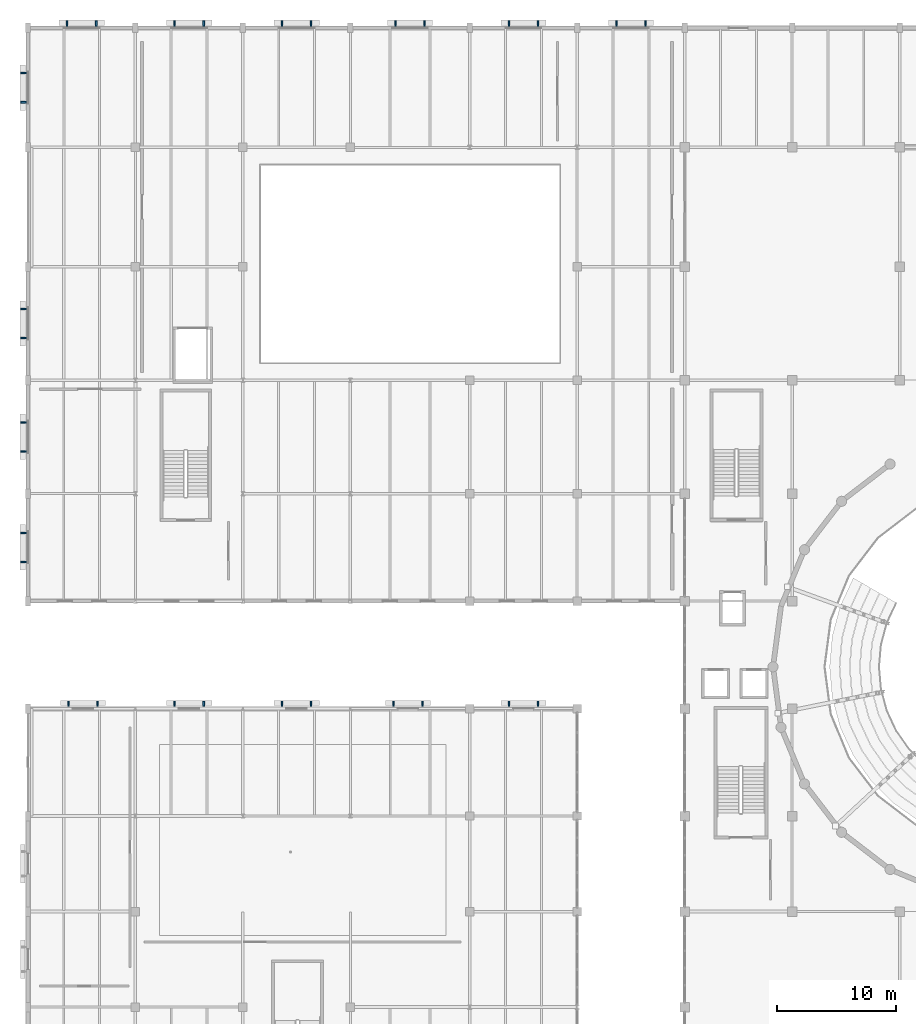
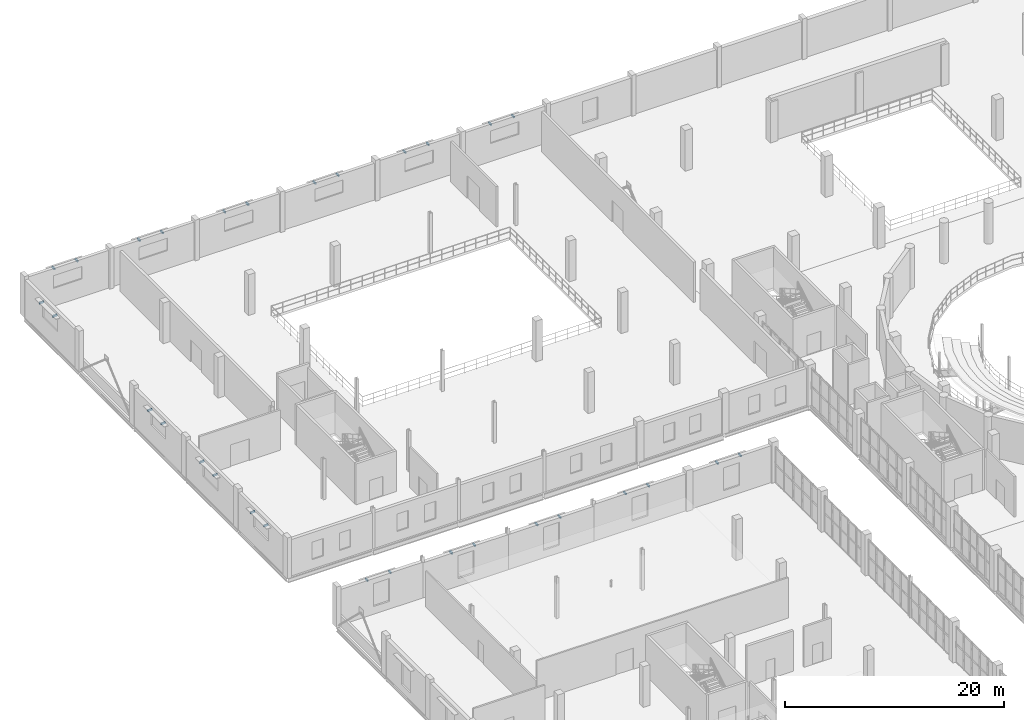
# One storey, part 80 of 93: 30 discrete accessories.
"""IFC4 building model written with IfcOpenShell, lengths in metres."""

from ifc_helpers import new_model, si_unit, direction, frame, origin, origin_2d, place, context, subcontext, project, spatial, rectangle, extrude, material, type_object, element, save


model = new_model("IFC4")

# Units and contexts
model_context = context("Model", 3, precision=1e-05, world=origin(), true_north=direction((0.0, 1.0)))
body_context = subcontext(model_context, "Body", "Model", "MODEL_VIEW")
ifc_project = project(units=[si_unit("LENGTHUNIT", "METRE"), si_unit("AREAUNIT", "SQUARE_METRE"), si_unit("VOLUMEUNIT", "CUBIC_METRE"), si_unit("PLANEANGLEUNIT", "RADIAN"), si_unit("MASSUNIT", "GRAM", prefix="KILO")], contexts=[model_context])

# Site, building, storey
site_placement = place(None, origin())
site = spatial("IfcSite", under=ifc_project, at=site_placement, CompositionType="ELEMENT")
building_placement = place(site_placement, origin())
building = spatial("IfcBuilding", under=site, at=building_placement, Name="Marnock Terrace Opera House", CompositionType="ELEMENT")
storey_placement = place(building_placement, frame((0.0, 0.0, 5.39990234375)))
storey = spatial("IfcBuildingStorey", under=building, at=storey_placement, Name="L01", CompositionType="ELEMENT", Elevation=5.39990234375)

# Discrete accessories
ifc_material = material(Name="Galvanised architectural steel framing", Category="steel")
discrete_accessory_type = type_object("IfcDiscreteAccessoryType", Name="ACC-BRACKET-450", PredefinedType="BRACKET", material=ifc_material)
for number, where, z_axis, x_axis, name in (
    (1, (3.39453125, 57.39990234375, 3.52734375), (0.0, 0.0, 1.0), (1.0, 0.0, 0.0), "Brise-soleil support bracket EW-V3N-L01-1.A"),
    (2, (5.826416015625, 57.39990234375, 3.52734375), (0.0, 0.0, 1.0), (1.0, 0.0, 0.0), "Brise-soleil support bracket EW-V3N-L01-1.B"),
    (3, (12.283935546875, 57.39990234375, 3.453125), (0.0, 0.0, 1.0), (1.0, 0.0, 0.0), "Brise-soleil support bracket EW-V3N-L01-2.A"),
    (4, (14.716064453125, 57.39990234375, 3.453125), (0.0, 0.0, 1.0), (1.0, 0.0, 0.0), "Brise-soleil support bracket EW-V3N-L01-2.B"),
    (5, (21.283935546875, 57.39990234375, 3.44873046875), (0.0, 0.0, 1.0), (1.0, 0.0, 0.0), "Brise-soleil support bracket EW-V3N-L01-3.A"),
    (6, (23.716064453125, 57.39990234375, 3.44873046875), (0.0, 0.0, 1.0), (1.0, 0.0, 0.0), "Brise-soleil support bracket EW-V3N-L01-3.B"),
    (7, (30.611083984375, 57.39990234375, 3.65771484375), (0.0, 0.0, 1.0), (1.0, 0.0, 0.0), "Brise-soleil support bracket EW-V3N-L01-4.A"),
    (8, (33.04296875, 57.39990234375, 3.65771484375), (0.0, 0.0, 1.0), (1.0, 0.0, 0.0), "Brise-soleil support bracket EW-V3N-L01-4.B"),
    (9, (40.283935546875, 57.39990234375, 3.65771484375), (0.0, 0.0, 1.0), (1.0, 0.0, 0.0), "Brise-soleil support bracket EW-V3N-L01-5.A"),
    (10, (42.716064453125, 57.39990234375, 3.65771484375), (0.0, 0.0, 1.0), (1.0, 0.0, 0.0), "Brise-soleil support bracket EW-V3N-L01-5.B"),
    (11, (-0.375, 69.283935546875, 3.70166015625), (0.0, 0.0, 1.0), (0.0, 1.0, 0.0), "Brise-soleil support bracket EW-V4W-L01-1.A"),
    (12, (-0.375, 71.716064453125, 3.70166015625), (0.0, 0.0, 1.0), (0.0, 1.0, 0.0), "Brise-soleil support bracket EW-V4W-L01-1.B"),
    (13, (-0.375, 78.533935546875, 3.70166015625), (0.0, 0.0, 1.0), (0.0, 1.0, 0.0), "Brise-soleil support bracket EW-V4W-L01-2.A"),
    (14, (-0.375, 80.966064453125, 3.70166015625), (0.0, 0.0, 1.0), (0.0, 1.0, 0.0), "Brise-soleil support bracket EW-V4W-L01-2.B"),
    (15, (-0.375, 88.033935546875, 3.70166015625), (0.0, 0.0, 1.0), (0.0, 1.0, 0.0), "Brise-soleil support bracket EW-V4W-L01-3.A"),
    (16, (-0.375, 90.466064453125, 3.70166015625), (0.0, 0.0, 1.0), (0.0, 1.0, 0.0), "Brise-soleil support bracket EW-V4W-L01-3.B"),
    (17, (-0.375, 107.783935546875, 3.70166015625), (0.0, 0.0, 1.0), (0.0, 1.0, 0.0), "Brise-soleil support bracket EW-V4W-L01-5.A"),
    (18, (-0.375, 110.216064453125, 3.70166015625), (0.0, 0.0, 1.0), (0.0, 1.0, 0.0), "Brise-soleil support bracket EW-V4W-L01-5.B"),
    (19, (3.283935546875, 114.375, 3.74169921875), (0.0, 0.0, 1.0), (1.0, 0.0, 0.0), "Brise-soleil support bracket EW-V4N-L01-1.A"),
    (20, (5.716064453125, 114.375, 3.74169921875), (0.0, 0.0, 1.0), (1.0, 0.0, 0.0), "Brise-soleil support bracket EW-V4N-L01-1.B"),
    (21, (12.283935546875, 114.375, 3.74169921875), (0.0, 0.0, 1.0), (1.0, 0.0, 0.0), "Brise-soleil support bracket EW-V4N-L01-2.A"),
    (22, (14.716064453125, 114.375, 3.74169921875), (0.0, 0.0, 1.0), (1.0, 0.0, 0.0), "Brise-soleil support bracket EW-V4N-L01-2.B"),
    (23, (21.283935546875, 114.375, 3.74169921875), (0.0, 0.0, 1.0), (1.0, 0.0, 0.0), "Brise-soleil support bracket EW-V4N-L01-3.A"),
    (24, (23.716064453125, 114.375, 3.74169921875), (0.0, 0.0, 1.0), (1.0, 0.0, 0.0), "Brise-soleil support bracket EW-V4N-L01-3.B"),
    (25, (30.783935546875, 114.375, 3.6396484375), (0.0, 0.0, 1.0), (1.0, 0.0, 0.0), "Brise-soleil support bracket EW-V4N-L01-4.A"),
    (26, (33.216064453125, 114.375, 3.6396484375), (0.0, 0.0, 1.0), (1.0, 0.0, 0.0), "Brise-soleil support bracket EW-V4N-L01-4.B"),
    (27, (40.283935546875, 114.375, 3.74169921875), (0.0, 0.0, 1.0), (1.0, 0.0, 0.0), "Brise-soleil support bracket EW-V4N-L01-5.A"),
    (28, (42.716064453125, 114.375, 3.74169921875), (0.0, 0.0, 1.0), (1.0, 0.0, 0.0), "Brise-soleil support bracket EW-V4N-L01-5.B"),
    (29, (49.283935546875, 114.375, 3.70166015625), (0.0, 0.0, 1.0), (1.0, 0.0, 0.0), "Brise-soleil support bracket EW-V4N-L01-6.A"),
    (30, (51.716064453125, 114.375, 3.70166015625), (0.0, 0.0, 1.0), (1.0, 0.0, 0.0), "Brise-soleil support bracket EW-V4N-L01-6.B"),
):
    element("IfcDiscreteAccessory", number, at=place(storey_placement, frame(where, z_axis=z_axis, x_axis=x_axis)), inside=storey, type_object=discrete_accessory_type, Name=name, PredefinedType="BRACKET", context=body_context, shape_type="SweptSolid", body=[
        extrude(rectangle(XDim=0.139892578125, YDim=0.449951171875, at=origin_2d()), origin(), (0.0, 0.0, 1.0), 0.199951171875),
    ])

save(model, "model.ifc")
